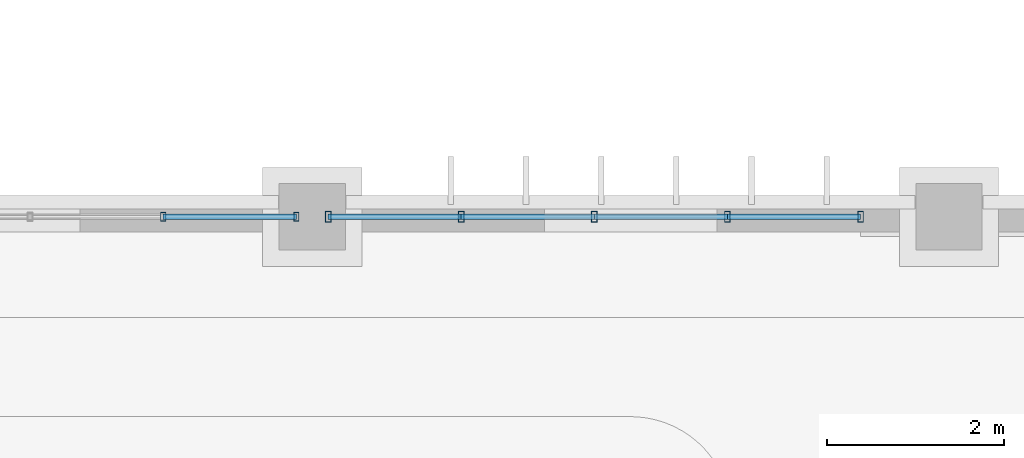
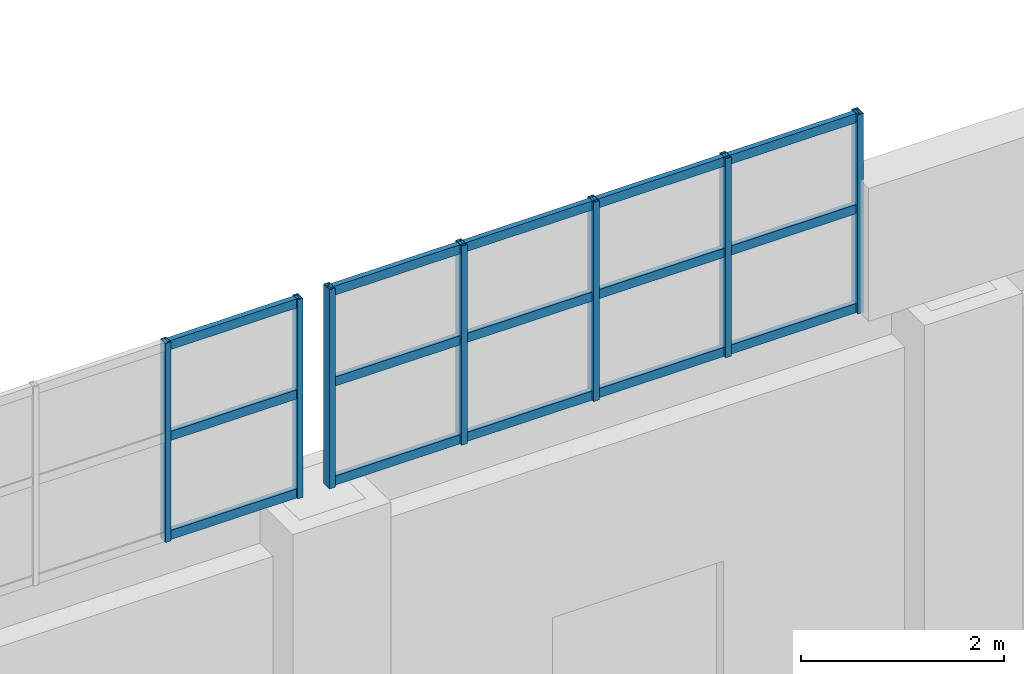
# One storey, part 50 of 174: 22 members, 2 elements without a shape of their own.
"""IFC4 building model written with IfcOpenShell, lengths in metres."""

from ifc_helpers import new_model, si_unit, direction, frame, origin, origin_2d, place, context, subcontext, project, spatial, hollow_rectangle, extrude, material, material_profile, profile_set, type_object, element, aggregate, save


model = new_model("IFC4")

# Units and contexts
model_context = context("Model", 3, precision=1e-05, world=origin(), true_north=direction((0.0, 1.0)))
body_context = subcontext(model_context, "Body", "Model", "MODEL_VIEW")
ifc_project = project(units=[si_unit("LENGTHUNIT", "METRE"), si_unit("AREAUNIT", "SQUARE_METRE"), si_unit("VOLUMEUNIT", "CUBIC_METRE"), si_unit("PLANEANGLEUNIT", "RADIAN"), si_unit("MASSUNIT", "GRAM", prefix="KILO")], contexts=[model_context])

# Site, building, storey
site_placement = place(None, origin())
site = spatial("IfcSite", under=ifc_project, at=site_placement, CompositionType="ELEMENT")
building_placement = place(site_placement, origin())
building = spatial("IfcBuilding", under=site, at=building_placement, Name="Mavantir Sound Aquarium", CompositionType="ELEMENT")
storey_placement = place(building_placement, frame((0.0, 0.0, 5.39990234375)))
storey = spatial("IfcBuildingStorey", under=building, at=storey_placement, Name="L01", CompositionType="ELEMENT", Elevation=5.39990234375)

# Curtain wall, members
ifc_material_1 = material(Name="Anodised Marine Aluminium and Low-E Glass", Category="aluminium")
curtain_wall_type_1 = type_object("IfcCurtainWallType", Name="CW-T18", PredefinedType="USERDEFINED", material=ifc_material_1)
curtain_wall_1_placement = place(storey_placement, origin())
curtain_wall_1 = element("IfcCurtainWall", 1, at=curtain_wall_1_placement, inside=storey, type_object=curtain_wall_type_1, Name="L01 unitised curtain wall CW-18 185", ObjectType="UNITISED GLAZING", PredefinedType="USERDEFINED")
ifc_material_2 = material(Name="Anodised Marine Aluminium 6063-T6", Category="aluminium")
ifc_material_profile_1 = material_profile(ifc_material_2, hollow_rectangle(XDim=0.06005859375, YDim=0.10009765625, WallThickness=0.00390625, at=origin_2d()), Name="ALU-MULLION-100X60")
ifc_profile_set_1 = profile_set([ifc_material_profile_1], Name="Anodised Marine Aluminium 6063-T6")
member_type_1 = type_object("IfcMemberType", Name="CW-MUL-100", PredefinedType="MULLION", material=ifc_profile_set_1)
member_1_placement = place(storey_placement, frame((79.9150390625, 33.60009765625, 5.10009765625), z_axis=(0.0, 0.0, 1.0), x_axis=(1.0, 0.0, 0.0)))
member_1 = element("IfcMember", 2, at=member_1_placement, type_object=member_type_1, Name="CW-V7LUN-NW vertical mullion 4", PredefinedType="MULLION", context=body_context, shape_type="SweptSolid", body=[
    extrude(hollow_rectangle(XDim=0.06005859375, YDim=0.10009765625, WallThickness=0.00390625, at=origin_2d()), origin(), (0.0, 0.0, 1.0), 2.39990234375),
])
member_2_placement = place(storey_placement, frame((81.419921875, 33.60009765625, 5.10009765625), z_axis=(0.0, 0.0, 1.0), x_axis=(1.0, 0.0, 0.0)))
member_2 = element("IfcMember", 3, at=member_2_placement, type_object=member_type_1, Name="CW-V7LUN-NW vertical mullion 5", PredefinedType="MULLION", context=body_context, shape_type="SweptSolid", body=[
    extrude(hollow_rectangle(XDim=0.06005859375, YDim=0.10009765625, WallThickness=0.00390625, at=origin_2d()), origin(), (0.0, 0.0, 1.0), 2.39990234375),
])

curtain_wall_type_2 = type_object("IfcCurtainWallType", Name="CW-T19", PredefinedType="USERDEFINED", material=ifc_material_1)
curtain_wall_2_placement = place(storey_placement, origin())
curtain_wall_2 = element("IfcCurtainWall", 4, at=curtain_wall_2_placement, inside=storey, type_object=curtain_wall_type_2, Name="L01 unitised curtain wall CW-19 186", ObjectType="UNITISED GLAZING", PredefinedType="USERDEFINED")
ifc_material_profile_2 = material_profile(ifc_material_2, hollow_rectangle(XDim=0.06494140625, YDim=0.1201171875, WallThickness=0.00390625, at=origin_2d()), Name="ALU-MULLION-120X65")
ifc_profile_set_2 = profile_set([ifc_material_profile_2], Name="Anodised Marine Aluminium 6063-T6")
member_type_2 = type_object("IfcMemberType", Name="CW-MUL-120", PredefinedType="MULLION", material=ifc_profile_set_2)
member_3_placement = place(storey_placement, frame((81.780029296875, 33.60009765625, 5.10009765625), z_axis=(0.0, 0.0, 1.0), x_axis=(1.0, 0.0, 0.0)))
member_3 = element("IfcMember", 5, at=member_3_placement, type_object=member_type_2, Name="CW-V7LUN-NE vertical mullion 1", PredefinedType="MULLION", context=body_context, shape_type="SweptSolid", body=[
    extrude(hollow_rectangle(XDim=0.06494140625, YDim=0.1201171875, WallThickness=0.00390625, at=origin_2d()), origin(), (0.0, 0.0, 1.0), 2.39990234375),
])
member_4_placement = place(storey_placement, frame((83.284912109375, 33.60009765625, 5.10009765625), z_axis=(0.0, 0.0, 1.0), x_axis=(1.0, 0.0, 0.0)))
member_4 = element("IfcMember", 6, at=member_4_placement, type_object=member_type_2, Name="CW-V7LUN-NE vertical mullion 2", PredefinedType="MULLION", context=body_context, shape_type="SweptSolid", body=[
    extrude(hollow_rectangle(XDim=0.06494140625, YDim=0.1201171875, WallThickness=0.00390625, at=origin_2d()), origin(), (0.0, 0.0, 1.0), 2.39990234375),
])
member_5_placement = place(storey_placement, frame((84.7900390625, 33.60009765625, 5.10009765625), z_axis=(0.0, 0.0, 1.0), x_axis=(1.0, 0.0, 0.0)))
member_5 = element("IfcMember", 7, at=member_5_placement, type_object=member_type_2, Name="CW-V7LUN-NE vertical mullion 3", PredefinedType="MULLION", context=body_context, shape_type="SweptSolid", body=[
    extrude(hollow_rectangle(XDim=0.06494140625, YDim=0.1201171875, WallThickness=0.00390625, at=origin_2d()), origin(), (0.0, 0.0, 1.0), 2.39990234375),
])
member_6_placement = place(storey_placement, frame((86.294921875, 33.60009765625, 5.10009765625), z_axis=(0.0, 0.0, 1.0), x_axis=(1.0, 0.0, 0.0)))
member_6 = element("IfcMember", 8, at=member_6_placement, type_object=member_type_2, Name="CW-V7LUN-NE vertical mullion 4", PredefinedType="MULLION", context=body_context, shape_type="SweptSolid", body=[
    extrude(hollow_rectangle(XDim=0.06494140625, YDim=0.1201171875, WallThickness=0.00390625, at=origin_2d()), origin(), (0.0, 0.0, 1.0), 2.39990234375),
])
member_7_placement = place(storey_placement, frame((87.800048828125, 33.60009765625, 5.10009765625), z_axis=(0.0, 0.0, 1.0), x_axis=(1.0, 0.0, 0.0)))
member_7 = element("IfcMember", 9, at=member_7_placement, type_object=member_type_2, Name="CW-V7LUN-NE vertical mullion 5", PredefinedType="MULLION", context=body_context, shape_type="SweptSolid", body=[
    extrude(hollow_rectangle(XDim=0.06494140625, YDim=0.1201171875, WallThickness=0.00390625, at=origin_2d()), origin(), (0.0, 0.0, 1.0), 2.39990234375),
])

# Member
ifc_material_profile_3 = material_profile(ifc_material_2, hollow_rectangle(XDim=0.06005859375, YDim=0.110107421875, WallThickness=0.00390625, at=origin_2d()), Name="ALU-TRANSOM-110X60")
ifc_profile_set_3 = profile_set([ifc_material_profile_3], Name="Anodised Marine Aluminium 6063-T6")
member_type_3 = type_object("IfcMemberType", Name="CW-TRN-110", PredefinedType="USERDEFINED", material=ifc_profile_set_3)
member_8_placement = place(storey_placement, frame((79.9150390625, 33.60009765625, 5.155029296875), z_axis=(1.0, 0.0, 0.0), x_axis=(0.0, 1.0, 0.0)))
member_8 = element("IfcMember", 10, at=member_8_placement, type_object=member_type_3, Name="CW-V7LUN-NW transom 4.1", ObjectType="TRANSOM", PredefinedType="USERDEFINED", context=body_context, shape_type="SweptSolid", body=[
    extrude(hollow_rectangle(XDim=0.06005859375, YDim=0.110107421875, WallThickness=0.00390625, at=origin_2d()), origin(), (0.0, 0.0, 1.0), 1.5048828125),
])

member_9_placement = place(storey_placement, frame((79.9150390625, 33.60009765625, 6.34814453125), z_axis=(1.0, 0.0, 0.0), x_axis=(0.0, 1.0, 0.0)))
member_9 = element("IfcMember", 11, at=member_9_placement, type_object=member_type_3, Name="CW-V7LUN-NW transom 4.2", ObjectType="TRANSOM", PredefinedType="USERDEFINED", context=body_context, shape_type="SweptSolid", body=[
    extrude(hollow_rectangle(XDim=0.06005859375, YDim=0.110107421875, WallThickness=0.00390625, at=origin_2d()), origin(), (0.0, 0.0, 1.0), 1.5048828125),
])

member_10_placement = place(storey_placement, frame((79.9150390625, 33.60009765625, 7.445068359375), z_axis=(1.0, 0.0, 0.0), x_axis=(0.0, 1.0, 0.0)))
member_10 = element("IfcMember", 12, at=member_10_placement, type_object=member_type_3, Name="CW-V7LUN-NW transom 4.3", ObjectType="TRANSOM", PredefinedType="USERDEFINED", context=body_context, shape_type="SweptSolid", body=[
    extrude(hollow_rectangle(XDim=0.06005859375, YDim=0.110107421875, WallThickness=0.00390625, at=origin_2d()), origin(), (0.0, 0.0, 1.0), 1.5048828125),
])

aggregate(curtain_wall_1, [member_1, member_2, member_8, member_9, member_10])

member_11_placement = place(storey_placement, frame((81.780029296875, 33.60009765625, 5.155029296875), z_axis=(1.0, 0.0, 0.0), x_axis=(0.0, 1.0, 0.0)))
member_11 = element("IfcMember", 13, at=member_11_placement, type_object=member_type_3, Name="CW-V7LUN-NE transom 1.1", ObjectType="TRANSOM", PredefinedType="USERDEFINED", context=body_context, shape_type="SweptSolid", body=[
    extrude(hollow_rectangle(XDim=0.06005859375, YDim=0.110107421875, WallThickness=0.00390625, at=origin_2d()), origin(), (0.0, 0.0, 1.0), 1.5048828125),
])

member_12_placement = place(storey_placement, frame((81.780029296875, 33.60009765625, 6.34814453125), z_axis=(1.0, 0.0, 0.0), x_axis=(0.0, 1.0, 0.0)))
member_12 = element("IfcMember", 14, at=member_12_placement, type_object=member_type_3, Name="CW-V7LUN-NE transom 1.2", ObjectType="TRANSOM", PredefinedType="USERDEFINED", context=body_context, shape_type="SweptSolid", body=[
    extrude(hollow_rectangle(XDim=0.06005859375, YDim=0.110107421875, WallThickness=0.00390625, at=origin_2d()), origin(), (0.0, 0.0, 1.0), 1.5048828125),
])

member_13_placement = place(storey_placement, frame((81.780029296875, 33.60009765625, 7.445068359375), z_axis=(1.0, 0.0, 0.0), x_axis=(0.0, 1.0, 0.0)))
member_13 = element("IfcMember", 15, at=member_13_placement, type_object=member_type_3, Name="CW-V7LUN-NE transom 1.3", ObjectType="TRANSOM", PredefinedType="USERDEFINED", context=body_context, shape_type="SweptSolid", body=[
    extrude(hollow_rectangle(XDim=0.06005859375, YDim=0.110107421875, WallThickness=0.00390625, at=origin_2d()), origin(), (0.0, 0.0, 1.0), 1.5048828125),
])

member_14_placement = place(storey_placement, frame((83.284912109375, 33.60009765625, 5.155029296875), z_axis=(1.0, 0.0, 0.0), x_axis=(0.0, 1.0, 0.0)))
member_14 = element("IfcMember", 16, at=member_14_placement, type_object=member_type_3, Name="CW-V7LUN-NE transom 2.1", ObjectType="TRANSOM", PredefinedType="USERDEFINED", context=body_context, shape_type="SweptSolid", body=[
    extrude(hollow_rectangle(XDim=0.06005859375, YDim=0.110107421875, WallThickness=0.00390625, at=origin_2d()), origin(), (0.0, 0.0, 1.0), 1.505126953125),
])

member_15_placement = place(storey_placement, frame((83.284912109375, 33.60009765625, 6.34814453125), z_axis=(1.0, 0.0, 0.0), x_axis=(0.0, 1.0, 0.0)))
member_15 = element("IfcMember", 17, at=member_15_placement, type_object=member_type_3, Name="CW-V7LUN-NE transom 2.2", ObjectType="TRANSOM", PredefinedType="USERDEFINED", context=body_context, shape_type="SweptSolid", body=[
    extrude(hollow_rectangle(XDim=0.06005859375, YDim=0.110107421875, WallThickness=0.00390625, at=origin_2d()), origin(), (0.0, 0.0, 1.0), 1.505126953125),
])

member_16_placement = place(storey_placement, frame((83.284912109375, 33.60009765625, 7.445068359375), z_axis=(1.0, 0.0, 0.0), x_axis=(0.0, 1.0, 0.0)))
member_16 = element("IfcMember", 18, at=member_16_placement, type_object=member_type_3, Name="CW-V7LUN-NE transom 2.3", ObjectType="TRANSOM", PredefinedType="USERDEFINED", context=body_context, shape_type="SweptSolid", body=[
    extrude(hollow_rectangle(XDim=0.06005859375, YDim=0.110107421875, WallThickness=0.00390625, at=origin_2d()), origin(), (0.0, 0.0, 1.0), 1.505126953125),
])

member_17_placement = place(storey_placement, frame((84.7900390625, 33.60009765625, 5.155029296875), z_axis=(1.0, 0.0, 0.0), x_axis=(0.0, 1.0, 0.0)))
member_17 = element("IfcMember", 19, at=member_17_placement, type_object=member_type_3, Name="CW-V7LUN-NE transom 3.1", ObjectType="TRANSOM", PredefinedType="USERDEFINED", context=body_context, shape_type="SweptSolid", body=[
    extrude(hollow_rectangle(XDim=0.06005859375, YDim=0.110107421875, WallThickness=0.00390625, at=origin_2d()), origin(), (0.0, 0.0, 1.0), 1.5048828125),
])

member_18_placement = place(storey_placement, frame((84.7900390625, 33.60009765625, 6.34814453125), z_axis=(1.0, 0.0, 0.0), x_axis=(0.0, 1.0, 0.0)))
member_18 = element("IfcMember", 20, at=member_18_placement, type_object=member_type_3, Name="CW-V7LUN-NE transom 3.2", ObjectType="TRANSOM", PredefinedType="USERDEFINED", context=body_context, shape_type="SweptSolid", body=[
    extrude(hollow_rectangle(XDim=0.06005859375, YDim=0.110107421875, WallThickness=0.00390625, at=origin_2d()), origin(), (0.0, 0.0, 1.0), 1.5048828125),
])

member_19_placement = place(storey_placement, frame((84.7900390625, 33.60009765625, 7.445068359375), z_axis=(1.0, 0.0, 0.0), x_axis=(0.0, 1.0, 0.0)))
member_19 = element("IfcMember", 21, at=member_19_placement, type_object=member_type_3, Name="CW-V7LUN-NE transom 3.3", ObjectType="TRANSOM", PredefinedType="USERDEFINED", context=body_context, shape_type="SweptSolid", body=[
    extrude(hollow_rectangle(XDim=0.06005859375, YDim=0.110107421875, WallThickness=0.00390625, at=origin_2d()), origin(), (0.0, 0.0, 1.0), 1.5048828125),
])

member_20_placement = place(storey_placement, frame((86.294921875, 33.60009765625, 5.155029296875), z_axis=(1.0, 0.0, 0.0), x_axis=(0.0, 1.0, 0.0)))
member_20 = element("IfcMember", 22, at=member_20_placement, type_object=member_type_3, Name="CW-V7LUN-NE transom 4.1", ObjectType="TRANSOM", PredefinedType="USERDEFINED", context=body_context, shape_type="SweptSolid", body=[
    extrude(hollow_rectangle(XDim=0.06005859375, YDim=0.110107421875, WallThickness=0.00390625, at=origin_2d()), origin(), (0.0, 0.0, 1.0), 1.505126953125),
])

member_21_placement = place(storey_placement, frame((86.294921875, 33.60009765625, 6.34814453125), z_axis=(1.0, 0.0, 0.0), x_axis=(0.0, 1.0, 0.0)))
member_21 = element("IfcMember", 23, at=member_21_placement, type_object=member_type_3, Name="CW-V7LUN-NE transom 4.2", ObjectType="TRANSOM", PredefinedType="USERDEFINED", context=body_context, shape_type="SweptSolid", body=[
    extrude(hollow_rectangle(XDim=0.06005859375, YDim=0.110107421875, WallThickness=0.00390625, at=origin_2d()), origin(), (0.0, 0.0, 1.0), 1.505126953125),
])

member_22_placement = place(storey_placement, frame((86.294921875, 33.60009765625, 7.445068359375), z_axis=(1.0, 0.0, 0.0), x_axis=(0.0, 1.0, 0.0)))
member_22 = element("IfcMember", 24, at=member_22_placement, type_object=member_type_3, Name="CW-V7LUN-NE transom 4.3", ObjectType="TRANSOM", PredefinedType="USERDEFINED", context=body_context, shape_type="SweptSolid", body=[
    extrude(hollow_rectangle(XDim=0.06005859375, YDim=0.110107421875, WallThickness=0.00390625, at=origin_2d()), origin(), (0.0, 0.0, 1.0), 1.505126953125),
])

aggregate(curtain_wall_2, [member_3, member_4, member_5, member_6, member_7, member_11, member_12, member_13, member_14, member_15, member_16, member_17, member_18, member_19, member_20, member_21, member_22])

save(model, "model.ifc")
